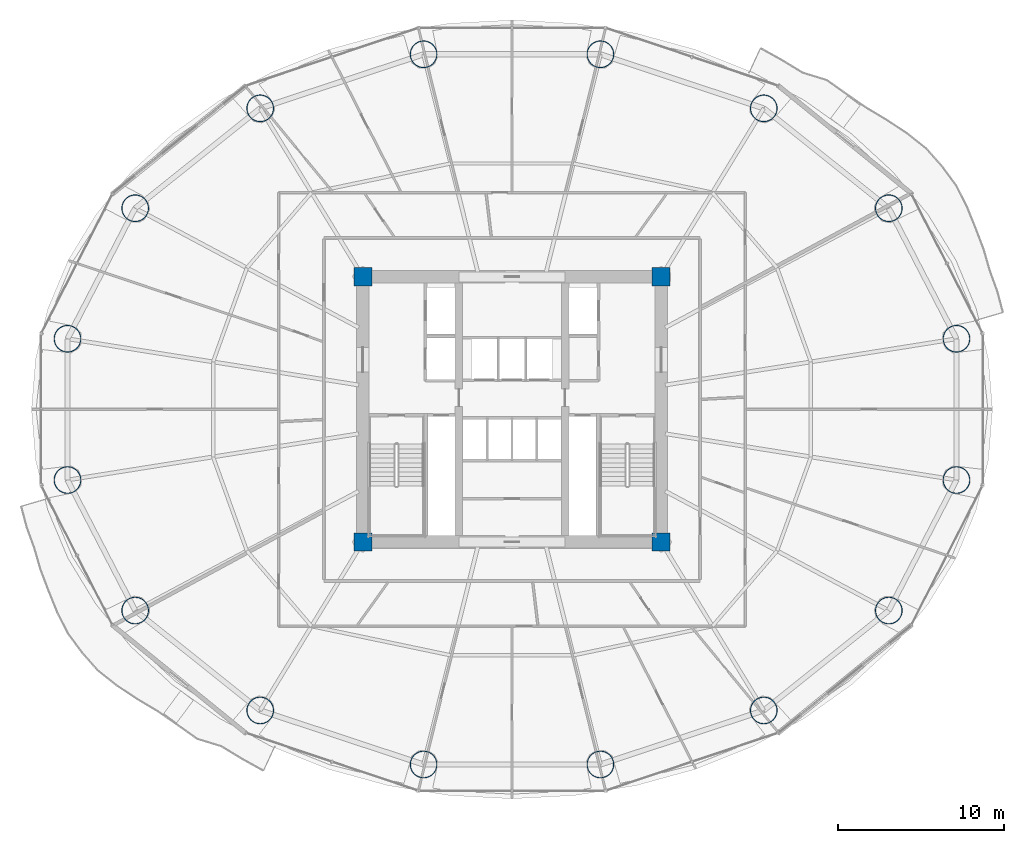
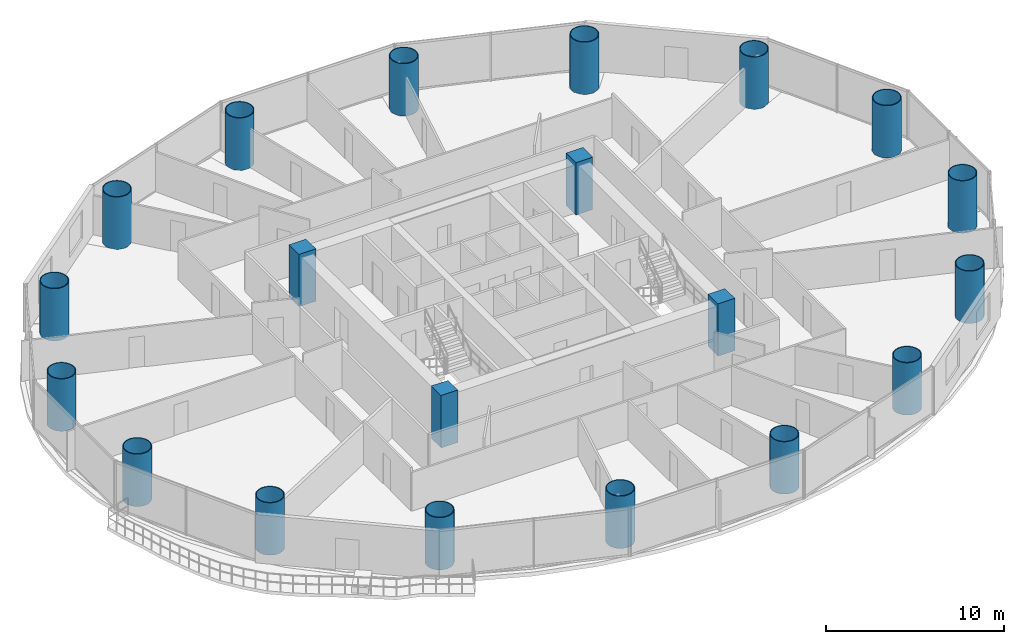
# One storey, part 1 of 30: 20 columns.
"""IFC4 building model written with IfcOpenShell, lengths in metres."""

from ifc_helpers import new_model, si_unit, direction, frame, origin, origin_2d, place, context, subcontext, project, spatial, rectangle, hollow_circle, extrude, material, material_profile, profile_set, type_object, element, save


model = new_model("IFC4")

# Units and contexts
model_context = context("Model", 3, precision=1e-05, world=origin(), true_north=direction((-0.2419218956, 0.970295726276)))
body_context = subcontext(model_context, "Body", "Model", "MODEL_VIEW")
ifc_project = project(units=[si_unit("LENGTHUNIT", "METRE"), si_unit("AREAUNIT", "SQUARE_METRE"), si_unit("VOLUMEUNIT", "CUBIC_METRE"), si_unit("PLANEANGLEUNIT", "RADIAN"), si_unit("MASSUNIT", "GRAM", prefix="KILO")], contexts=[model_context])

# Site, building, storey
site_placement = place(None, origin())
site = spatial("IfcSite", under=ifc_project, at=site_placement, CompositionType="ELEMENT")
building_placement = place(site_placement, origin())
building = spatial("IfcBuilding", under=site, at=building_placement, Name="Cobrevalo Terracotta Tower", CompositionType="ELEMENT")
storey_placement = place(building_placement, frame((0.0, 0.0, 56.39990234375)))
storey = spatial("IfcBuildingStorey", under=building, at=storey_placement, Name="L14", CompositionType="ELEMENT", Elevation=56.39990234375)

# Columns
ifc_material_1 = material(Name="Steel S355", Category="steel")
ifc_material_profile_1 = material_profile(ifc_material_1, hollow_circle(Radius=0.824951171875, WallThickness=0.050048828125, at=origin_2d()), Name="CHS 1650x50")
ifc_profile_set_1 = profile_set([ifc_material_profile_1], Name="Steel S355")
column_type_1 = type_object("IfcColumnType", Name="Structural Column CHS 1650x50 (Steel S355)", PredefinedType="COLUMN", material=ifc_profile_set_1)
for number, where, z_axis, x_axis, name in (
    (1, (64.824462890625, 31.062744140625, 0.0), (0.0, 0.0, 1.0), (1.0, 0.0, 0.0), "L14 composite megacolumn MC01"),
    (2, (60.74072265625, 38.939208984375, 0.0), (0.0, 0.0, 1.0), (1.0, 0.0, 0.0), "L14 composite megacolumn MC02"),
    (3, (53.19482421875, 44.967529296875, 0.0), (0.0, 0.0, 1.0), (1.0, 0.0, 0.0), "L14 composite megacolumn MC03"),
    (4, (43.335693359375, 48.230224609375, 0.0), (0.0, 0.0, 1.0), (1.0, 0.0, 0.0), "L14 composite megacolumn MC04"),
    (5, (32.664306640625, 48.230224609375, 0.0), (0.0, 0.0, 1.0), (1.0, 0.0, 0.0), "L14 composite megacolumn MC05"),
    (6, (22.80517578125, 44.967529296875, 0.0), (0.0, 0.0, 1.0), (1.0, 0.0, 0.0), "L14 composite megacolumn MC06"),
    (7, (15.25927734375, 38.939208984375, 0.0), (0.0, 0.0, 1.0), (1.0, 0.0, 0.0), "L14 composite megacolumn MC07"),
    (8, (11.175537109375, 31.062744140625, 0.0), (0.0, 0.0, 1.0), (1.0, 0.0, 0.0), "L14 composite megacolumn MC08"),
    (9, (11.175537109375, 22.537353515625, 0.0), (0.0, 0.0, 1.0), (1.0, 0.0, 0.0), "L14 composite megacolumn MC09"),
    (10, (15.25927734375, 14.660888671875, 0.0), (0.0, 0.0, 1.0), (1.0, 0.0, 0.0), "L14 composite megacolumn MC10"),
    (11, (22.80517578125, 8.63232421875, 0.0), (0.0, 0.0, 1.0), (1.0, 0.0, 0.0), "L14 composite megacolumn MC11"),
    (12, (32.664306640625, 5.369873046875, 0.0), (0.0, 0.0, 1.0), (1.0, 0.0, 0.0), "L14 composite megacolumn MC12"),
    (13, (43.335693359375, 5.369873046875, 0.0), (0.0, 0.0, 1.0), (1.0, 0.0, 0.0), "L14 composite megacolumn MC13"),
    (14, (53.19482421875, 8.63232421875, 0.0), (0.0, 0.0, 1.0), (1.0, 0.0, 0.0), "L14 composite megacolumn MC14"),
    (15, (60.74072265625, 14.660888671875, 0.0), (0.0, 0.0, 1.0), (1.0, 0.0, 0.0), "L14 composite megacolumn MC15"),
    (16, (64.824462890625, 22.537353515625, 0.0), (0.0, 0.0, 1.0), (1.0, 0.0, 0.0), "L14 composite megacolumn MC16"),
):
    element("IfcColumn", number, at=place(storey_placement, frame(where, z_axis=z_axis, x_axis=x_axis)), inside=storey, type_object=column_type_1, Name=name, PredefinedType="COLUMN", context=body_context, shape_type="SweptSolid", body=[
        extrude(hollow_circle(Radius=0.824951171875, WallThickness=0.050048828125, at=origin_2d()), origin(), (0.0, 0.0, 1.0), 3.60009765625),
    ])
ifc_material_2 = material(Name="Concrete C60", Category="concrete")
ifc_material_profile_2 = material_profile(ifc_material_2, rectangle(XDim=1.10009765625, YDim=1.10009765625, at=origin_2d()), Name="RC COL 1100x1100")
ifc_profile_set_2 = profile_set([ifc_material_profile_2], Name="Concrete C60")
column_type_2 = type_object("IfcColumnType", Name="Structural Column RC COL 1100x1100 (Concrete C60)", PredefinedType="COLUMN", material=ifc_profile_set_2)
for number, where, z_axis, x_axis, name in (
    (17, (29.0, 18.800048828125, 0.0), (0.0, 0.0, 1.0), (1.0, 0.0, 0.0), "L14 core corner column CC1"),
    (18, (47.0, 18.800048828125, 0.0), (0.0, 0.0, 1.0), (1.0, 0.0, 0.0), "L14 core corner column CC2"),
    (19, (47.0, 34.800048828125, 0.0), (0.0, 0.0, 1.0), (1.0, 0.0, 0.0), "L14 core corner column CC3"),
    (20, (29.0, 34.800048828125, 0.0), (0.0, 0.0, 1.0), (1.0, 0.0, 0.0), "L14 core corner column CC4"),
):
    element("IfcColumn", number, at=place(storey_placement, frame(where, z_axis=z_axis, x_axis=x_axis)), inside=storey, type_object=column_type_2, Name=name, PredefinedType="COLUMN", context=body_context, shape_type="SweptSolid", body=[
        extrude(rectangle(XDim=1.10009765625, YDim=1.10009765625, at=origin_2d()), origin(), (0.0, 0.0, 1.0), 3.60009765625),
    ])

save(model, "model.ifc")
